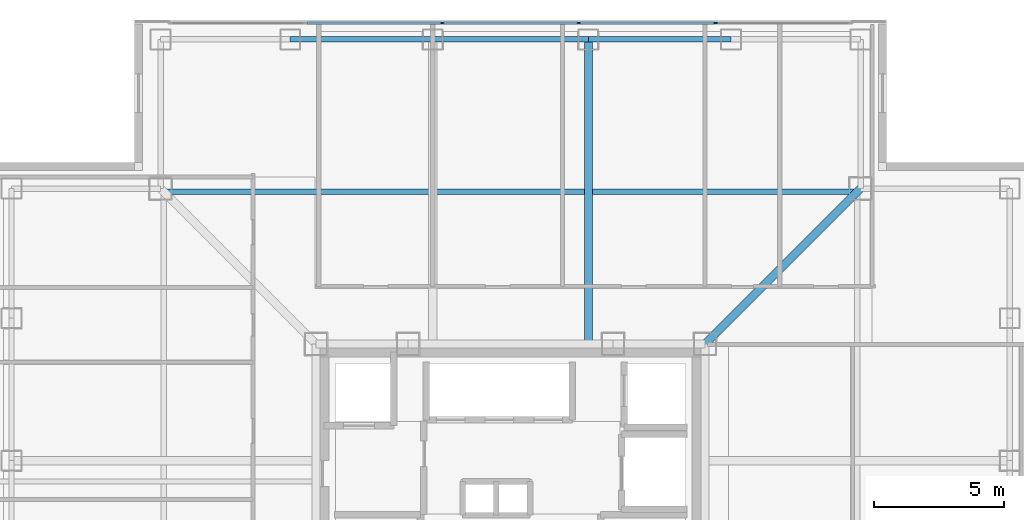
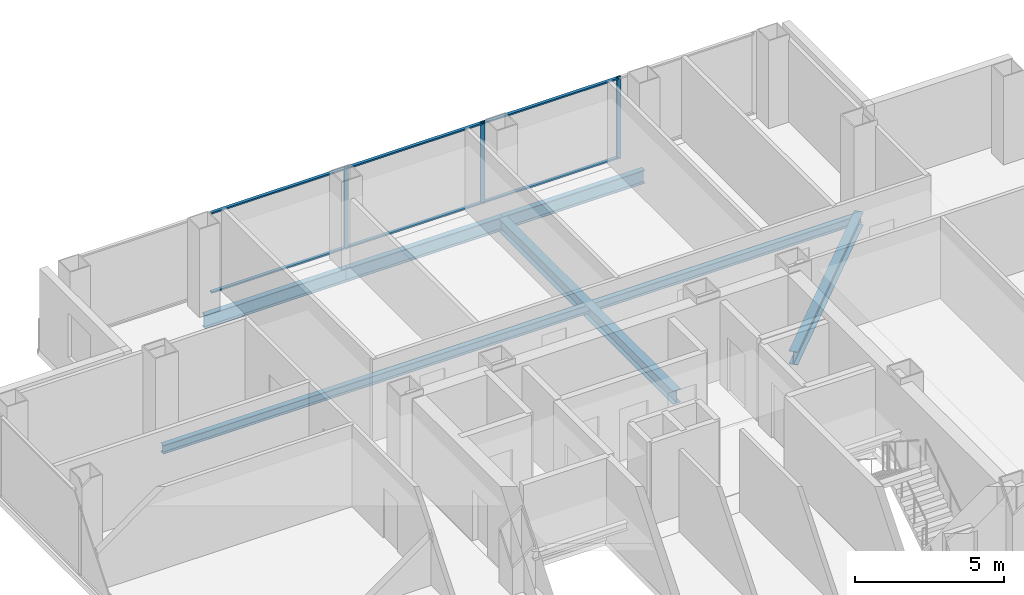
# One storey, part 8 of 16: 9 members, 6 beams, 1 element without a shape of its own.
"""IFC4 building model written with IfcOpenShell, lengths in metres."""

import ifcopenshell
import ifcopenshell.guid

model = None  # the IFC model being written
_history = None  # IfcOwnerHistory: only IFC2X3 demands one
_inside = {}  # id of a spatial element -> (the spatial element, [elements in it])
_under = {}  # id of a project, library or spatial element -> (it, [spatial elements below it])
_declared = {}  # id of a project -> (the project, [libraries it declares])
_typed = {}  # id of a type object -> (the type object, [elements of that type])
_made_of = {}  # id of a material, layer set ... -> (it, [elements and type objects made of it])


def new_model(schema):
    """Start an empty IFC model of exactly this schema.

    Asked for "IFC4X3", IfcOpenShell would pick the latest addendum, in which some entities
    have other attributes; the version numbers below select the first issue.
    IFC2X3 requires an IfcOwnerHistory on every rooted entity: one is made here for all.
    """
    global model, _history
    if schema == "IFC4X3":
        model = ifcopenshell.file(schema_version=(4, 3, 0, 0))
    else:
        model = ifcopenshell.file(schema=schema)
    _inside.clear()
    _under.clear()
    _declared.clear()
    _typed.clear()
    _made_of.clear()
    _history = None
    if model.schema == "IFC2X3":
        org = make("IfcOrganization", Name="unknown")
        user = make(
            "IfcPersonAndOrganization",
            ThePerson=make("IfcPerson", FamilyName="unknown"),
            TheOrganization=org,
        )
        app = make(
            "IfcApplication",
            ApplicationDeveloper=org,
            Version="unknown",
            ApplicationFullName="unknown",
            ApplicationIdentifier="unknown",
        )
        _history = make(
            "IfcOwnerHistory",
            OwningUser=user,
            OwningApplication=app,
            ChangeAction="ADDED",
            CreationDate=0,
        )
    return model


def make(cls, **values):
    """One entity of the class cls with the attributes given. An attribute that is None is left unset."""
    return model.create_entity(
        cls, **{name: value for name, value in values.items() if value is not None}
    )


def rooted(cls, **values):
    """An entity with a GlobalId (a new one), such as an element, a storey or a relation."""
    return make(cls, GlobalId=ifcopenshell.guid.new(), OwnerHistory=_history, **values)


def si_unit(unit_type, name, prefix=None):
    """IfcSIUnit, for example si_unit("LENGTHUNIT", "METRE", prefix="MILLI")."""
    return make("IfcSIUnit", UnitType=unit_type, Prefix=prefix, Name=name)


def assignment(units):
    """IfcUnitAssignment: the units of a project."""
    return None if units is None else make("IfcUnitAssignment", Units=units)


def point(xyz):
    """IfcCartesianPoint."""
    return None if xyz is None else make("IfcCartesianPoint", Coordinates=xyz)


def direction(xyz):
    """IfcDirection."""
    return None if xyz is None else make("IfcDirection", DirectionRatios=xyz)


def frame(location, z_axis=None, x_axis=None):
    """IfcAxis2Placement3D, a coordinate frame: its origin and axes. An axis left out is left unset."""
    return make(
        "IfcAxis2Placement3D",
        Location=point(location),
        Axis=direction(z_axis),
        RefDirection=direction(x_axis),
    )


def frame_2d(location, x_axis=None):
    """IfcAxis2Placement2D, a coordinate frame in the plane: its origin and x axis."""
    return make(
        "IfcAxis2Placement2D", Location=point(location), RefDirection=direction(x_axis)
    )


def origin():
    """The frame at (0, 0, 0) with its axes left unset."""
    return frame((0.0, 0.0, 0.0))


def origin_2d():
    """The frame at (0, 0) in the plane with its x axis left unset."""
    return frame_2d((0.0, 0.0))


def place(relative_to, where):
    """IfcLocalPlacement: puts the frame where relative to a parent placement (None: the world)."""
    return make(
        "IfcLocalPlacement", PlacementRelTo=relative_to, RelativePlacement=where
    )


def context(
    kind, dimensions, precision=None, world=None, true_north=None, identifier=None
):
    """IfcGeometricRepresentationContext, for example the 3D "Model" context."""
    return make(
        "IfcGeometricRepresentationContext",
        ContextIdentifier=identifier,
        ContextType=kind,
        CoordinateSpaceDimension=dimensions,
        Precision=precision,
        WorldCoordinateSystem=world,
        TrueNorth=true_north,
    )


def subcontext(parent, identifier, kind, view, scale=None):
    """IfcGeometricRepresentationSubContext, for example "Body" below "Model"."""
    return make(
        "IfcGeometricRepresentationSubContext",
        ContextIdentifier=identifier,
        ContextType=kind,
        ParentContext=parent,
        TargetScale=scale,
        TargetView=view,
    )


def project(units=None, contexts=None):
    """IfcProject with its units and contexts."""
    return rooted(
        "IfcProject",
        Name="project",
        RepresentationContexts=contexts,
        UnitsInContext=assignment(units),
    )


def spatial(cls, under=None, at=None, **own):
    """A site, building, storey or space (cls), placed at a placement, below another one or the project."""
    s = rooted(cls, ObjectPlacement=at, **own)
    if under is not None:
        _under.setdefault(under.id(), (under, []))[1].append(s)
    return s


def profile(cls, at=None, kind="AREA", **sizes):
    """A parametric profile (cls). Its sizes go by their IFC names, for example OverallWidth=200.0."""
    return make(cls, ProfileType=kind, Position=at, **sizes)


def rectangle(**sizes):
    """IfcRectangleProfileDef."""
    return profile("IfcRectangleProfileDef", **sizes)


def i_section(**sizes):
    """IfcIShapeProfileDef."""
    return profile("IfcIShapeProfileDef", **sizes)


def extrude(swept, where, along, depth):
    """IfcExtrudedAreaSolid: the profile swept, set in the frame where, extruded along a direction by depth."""
    return make(
        "IfcExtrudedAreaSolid",
        SweptArea=swept,
        Position=where,
        ExtrudedDirection=direction(along),
        Depth=depth,
    )


def shape(context_of_items, identifier, shape_type, items):
    """IfcShapeRepresentation: the items that make up one representation, for example the "Body"."""
    return make(
        "IfcShapeRepresentation",
        ContextOfItems=context_of_items,
        RepresentationIdentifier=identifier,
        RepresentationType=shape_type,
        Items=items,
    )


def material(Name=None, Category=None):
    """IfcMaterial."""
    return make("IfcMaterial", Name=Name, Category=Category)


def layer(
    of_material, thickness, ventilated=None, Name=None, Category=None, Priority=None
):
    """IfcMaterialLayer: one layer of a wall or slab, of a material (None: an air gap)."""
    return make(
        "IfcMaterialLayer",
        Material=of_material,
        LayerThickness=thickness,
        IsVentilated=ventilated,
        Name=Name,
        Category=Category,
        Priority=Priority,
    )


def layer_set(layers, Name=None):
    """IfcMaterialLayerSet."""
    return make("IfcMaterialLayerSet", MaterialLayers=layers, LayerSetName=Name)


def material_profile(
    of_material, cross_section, Name=None, Category=None, Priority=None
):
    """IfcMaterialProfile: a cross section and its material."""
    return make(
        "IfcMaterialProfile",
        Name=Name,
        Material=of_material,
        Profile=cross_section,
        Priority=Priority,
        Category=Category,
    )


def profile_set(profiles, Name=None, composite=None):
    """IfcMaterialProfileSet."""
    return make(
        "IfcMaterialProfileSet",
        Name=Name,
        MaterialProfiles=profiles,
        CompositeProfile=composite,
    )


def made_of(thing, what):
    """Note that an element or type object is made of a material, layer set ...; save() writes the relation."""
    if what is not None:
        _made_of.setdefault(what.id(), (what, []))[1].append(thing)
    return thing


def type_object(cls, material=None, **own):
    """A type object (cls), such as IfcWallType, which elements share."""
    return made_of(rooted(cls, **own), material)


def element(
    cls,
    number,
    at=None,
    inside=None,
    cuts=None,
    type_object=None,
    material=None,
    context=None,
    identifier="Body",
    shape_type=None,
    held_by="IfcProductDefinitionShape",
    body=None,
    shapes=None,
    **own,
):
    """One element of the class cls, such as IfcWall. Its Tag is "e" and its number.

    at: its placement. inside: the storey or other place that contains it. cuts: it is an
    opening in that element (IfcRelVoidsElement). A single representation is given by context,
    identifier, shape_type and body (its items); several are given by shapes. held_by: the class
    of the entity that holds the representations. save() writes the other relations.
    """
    e = rooted(cls, Tag="e%d" % number, ObjectPlacement=at, **own)
    if body is not None:
        shapes = [shape(context, identifier, shape_type, body)]
    if shapes is not None:
        e.Representation = make(held_by, Representations=shapes)
    if inside is not None:
        _inside.setdefault(inside.id(), (inside, []))[1].append(e)
    if cuts is not None:
        rooted(
            "IfcRelVoidsElement", RelatingBuildingElement=cuts, RelatedOpeningElement=e
        )
    if type_object is not None:
        _typed.setdefault(type_object.id(), (type_object, []))[1].append(e)
    return made_of(e, material)


def aggregate(whole, parts):
    """IfcRelAggregates: a whole, such as a stair, and the parts it consists of."""
    return rooted("IfcRelAggregates", RelatingObject=whole, RelatedObjects=parts)


def save(model, path):
    """Write the relations noted so far, then the file.

    IfcRelAggregates (storeys below a building ...), IfcRelContainedInSpatialStructure (elements
    in a storey), IfcRelDefinesByType, IfcRelAssociatesMaterial and IfcRelDeclares: one each for
    every whole, place, type object, material and project.
    """
    for whole, parts in _under.values():
        aggregate(whole, parts)
    for where, things in _inside.values():
        rooted(
            "IfcRelContainedInSpatialStructure",
            RelatedElements=things,
            RelatingStructure=where,
        )
    for kind, things in _typed.values():
        rooted("IfcRelDefinesByType", RelatedObjects=things, RelatingType=kind)
    for what, things in _made_of.values():
        rooted("IfcRelAssociatesMaterial", RelatedObjects=things, RelatingMaterial=what)
    for by, libraries in _declared.values():
        rooted("IfcRelDeclares", RelatingContext=by, RelatedDefinitions=libraries)
    model.write(path)


model = new_model("IFC4")

# Units and contexts
model_context = context("Model", 3, precision=1e-05, world=origin(), true_north=direction((0.0, 1.0)))
body_context = subcontext(model_context, "Body", "Model", "MODEL_VIEW")
ifc_project = project(units=[si_unit("LENGTHUNIT", "METRE"), si_unit("AREAUNIT", "SQUARE_METRE"), si_unit("VOLUMEUNIT", "CUBIC_METRE"), si_unit("PLANEANGLEUNIT", "RADIAN"), si_unit("MASSUNIT", "GRAM", prefix="KILO")], contexts=[model_context])

# Site, building, storey
site_placement = place(None, origin())
site = spatial("IfcSite", under=ifc_project, at=site_placement, CompositionType="ELEMENT")
building_placement = place(site_placement, origin())
building = spatial("IfcBuilding", under=site, at=building_placement, Name="Trevonay Congress Spire", CompositionType="ELEMENT")
storey_placement = place(building_placement, frame((0.0, 0.0, 177.0)))
storey = spatial("IfcBuildingStorey", under=building, at=storey_placement, Name="L45", CompositionType="ELEMENT", Elevation=177.0)

# Beams
ifc_material_1 = material(Name="Steel ASTM A572 Grade 50", Category="steel")
ifc_material_profile_1 = material_profile(ifc_material_1, i_section(OverallWidth=0.31201171875, OverallDepth=0.54296875, WebThickness=0.0126953125, FlangeThickness=0.020263671875, FilletRadius=0.014892578125, at=origin_2d()), Name="W530x150")
ifc_profile_set_1 = profile_set([ifc_material_profile_1], Name="Steel ASTM A572 Grade 50")
beam_type_1 = type_object("IfcBeamType", Name="BM-GIRD-W530X150", PredefinedType="BEAM", material=ifc_profile_set_1)
beam_1_placement = place(storey_placement, frame((7.5, 7.5, -0.511474609375), z_axis=(0.707106781187, 0.707106781187, 0.0), x_axis=(-0.707106781187, 0.707106781187, 0.0)))
element("IfcBeam", 1, at=beam_1_placement, inside=storey, type_object=beam_type_1, Name="L45 structural beam BM-L45-CDNE", PredefinedType="BEAM", context=body_context, shape_type="SweptSolid", body=[
    extrude(i_section(OverallWidth=0.31201171875, OverallDepth=0.54296875, WebThickness=0.0126953125, FlangeThickness=0.020263671875, FilletRadius=0.014892578125, at=origin_2d()), origin(), (0.0, 0.0, 1.0), 8.4853515625),
])
beam_2_placement = place(storey_placement, frame((3.0, 7.5, -0.511474609375), z_axis=(0.0, 1.0, 0.0), x_axis=(-1.0, 0.0, 0.0)))
element("IfcBeam", 2, at=beam_2_placement, inside=storey, type_object=beam_type_1, Name="L45 structural beam BM-L45-GN-P", PredefinedType="BEAM", context=body_context, shape_type="SweptSolid", body=[
    extrude(i_section(OverallWidth=0.31201171875, OverallDepth=0.54296875, WebThickness=0.0126953125, FlangeThickness=0.020263671875, FilletRadius=0.014892578125, at=origin_2d()), origin(), (0.0, 0.0, 1.0), 11.75),
])
ifc_material_profile_2 = material_profile(ifc_material_1, i_section(OverallWidth=0.2119140625, OverallDepth=0.5439453125, WebThickness=0.01318359375, FlangeThickness=0.021240234375, FilletRadius=0.014892578125, at=origin_2d()), Name="W530x123")
ifc_profile_set_2 = profile_set([ifc_material_profile_2], Name="Steel ASTM A572 Grade 50")
beam_type_2 = type_object("IfcBeamType", Name="BM-RING-W530X123", PredefinedType="BEAM", material=ifc_profile_set_2)
beam_3_placement = place(storey_placement, frame((-8.5, 19.25, -0.511962890625), z_axis=(1.0, 0.0, 0.0), x_axis=(0.0, 1.0, 0.0)))
element("IfcBeam", 3, at=beam_3_placement, inside=storey, type_object=beam_type_2, Name="L45 structural beam BM-L45-PN2", PredefinedType="BEAM", context=body_context, shape_type="SweptSolid", body=[
    extrude(i_section(OverallWidth=0.2119140625, OverallDepth=0.5439453125, WebThickness=0.01318359375, FlangeThickness=0.021240234375, FilletRadius=0.014892578125, at=origin_2d()), origin(), (0.0, 0.0, 1.0), 5.5),
])
beam_4_placement = place(storey_placement, frame((-3.0, 19.25, -0.511962890625), z_axis=(1.0, 0.0, 0.0), x_axis=(0.0, 1.0, 0.0)))
element("IfcBeam", 4, at=beam_4_placement, inside=storey, type_object=beam_type_2, Name="L45 structural beam BM-L45-PN3", PredefinedType="BEAM", context=body_context, shape_type="SweptSolid", body=[
    extrude(i_section(OverallWidth=0.2119140625, OverallDepth=0.5439453125, WebThickness=0.01318359375, FlangeThickness=0.021240234375, FilletRadius=0.014892578125, at=origin_2d()), origin(), (0.0, 0.0, 1.0), 6.0),
])
beam_5_placement = place(storey_placement, frame((3.0, 19.25, -0.511962890625), z_axis=(1.0, 0.0, 0.0), x_axis=(0.0, 1.0, 0.0)))
element("IfcBeam", 5, at=beam_5_placement, inside=storey, type_object=beam_type_2, Name="L45 structural beam BM-L45-PN4", PredefinedType="BEAM", context=body_context, shape_type="SweptSolid", body=[
    extrude(i_section(OverallWidth=0.2119140625, OverallDepth=0.5439453125, WebThickness=0.01318359375, FlangeThickness=0.021240234375, FilletRadius=0.014892578125, at=origin_2d()), origin(), (0.0, 0.0, 1.0), 5.5),
])

# Curtain wall, members
ifc_material_2 = material(Name="Pale Anodised Aluminium EN AW-6063-T6", Category="aluminium")
ifc_layer = layer(ifc_material_2, 0.169921875, Name="Pale Anodised Aluminium EN AW-6063-T6")
ifc_layer_set = layer_set([ifc_layer], Name="Pale Anodised Aluminium EN AW-6063-T6")
curtain_wall_type = type_object("IfcCurtainWallType", Name="CW-SYS04-CORP-PALE-METAL", PredefinedType="NOTDEFINED", material=ifc_layer_set)
curtain_wall_placement = place(storey_placement, origin())
curtain_wall = element("IfcCurtainWall", 6, at=curtain_wall_placement, inside=storey, type_object=curtain_wall_type, Name="L45 N unitised curtain wall", PredefinedType="NOTDEFINED")
ifc_material_profile_3 = material_profile(ifc_material_2, rectangle(XDim=0.06005859375, YDim=0.159912109375, at=origin_2d()), Name="CW-MULLION-160-ALUMINIUM")
ifc_profile_set_3 = profile_set([ifc_material_profile_3], Name="Pale Anodised Aluminium EN AW-6063-T6")
member_type_1 = type_object("IfcMemberType", Name="CW-MULLION-160-ALUMINIUM", PredefinedType="MULLION", material=ifc_profile_set_3)
member_1_placement = place(storey_placement, frame((-2.6298828125, 19.8798828125, 0.0), z_axis=(0.0, 0.0, 1.0), x_axis=(0.0, 1.0, 0.0)))
member_1 = element("IfcMember", 7, at=member_1_placement, type_object=member_type_1, Name="CW04 mullion 3", PredefinedType="MULLION", context=body_context, shape_type="SweptSolid", body=[
    extrude(rectangle(XDim=0.06005859375, YDim=0.159912109375, at=origin_2d()), origin(), (0.0, 0.0, 1.0), 3.360107421875),
])
member_2_placement = place(storey_placement, frame((2.6298828125, 19.8798828125, 0.0), z_axis=(0.0, 0.0, 1.0), x_axis=(0.0, 1.0, 0.0)))
member_2 = element("IfcMember", 8, at=member_2_placement, type_object=member_type_1, Name="CW04 mullion 4", PredefinedType="MULLION", context=body_context, shape_type="SweptSolid", body=[
    extrude(rectangle(XDim=0.06005859375, YDim=0.159912109375, at=origin_2d()), origin(), (0.0, 0.0, 1.0), 3.360107421875),
])
member_3_placement = place(storey_placement, frame((7.889892578125, 19.8798828125, 0.0), z_axis=(0.0, 0.0, 1.0), x_axis=(0.0, 1.0, 0.0)))
member_3 = element("IfcMember", 9, at=member_3_placement, type_object=member_type_1, Name="CW04 mullion 5", PredefinedType="MULLION", context=body_context, shape_type="SweptSolid", body=[
    extrude(rectangle(XDim=0.06005859375, YDim=0.159912109375, at=origin_2d()), origin(), (0.0, 0.0, 1.0), 3.360107421875),
])
ifc_material_profile_4 = material_profile(ifc_material_2, rectangle(XDim=0.1201171875, YDim=0.06005859375, at=origin_2d()), Name="CW-TRANSOM-120-ALUMINIUM")
ifc_profile_set_4 = profile_set([ifc_material_profile_4], Name="Pale Anodised Aluminium EN AW-6063-T6")
member_type_2 = type_object("IfcMemberType", Name="CW-TRANSOM-120-ALUMINIUM", PredefinedType="USERDEFINED", material=ifc_profile_set_4)
member_4_placement = place(storey_placement, frame((-7.860107421875, 19.8798828125, 0.06005859375), z_axis=(1.0, 0.0, 0.0), x_axis=(0.0, 1.0, 0.0)))
member_4 = element("IfcMember", 10, at=member_4_placement, type_object=member_type_2, Name="CW04 transom 2.1", ObjectType="TRANSOM", PredefinedType="USERDEFINED", context=body_context, shape_type="SweptSolid", body=[
    extrude(rectangle(XDim=0.1201171875, YDim=0.06005859375, at=origin_2d()), origin(), (0.0, 0.0, 1.0), 5.2001953125),
])
member_5_placement = place(storey_placement, frame((-7.860107421875, 19.8798828125, 3.300048828125), z_axis=(1.0, 0.0, 0.0), x_axis=(0.0, 1.0, 0.0)))
member_5 = element("IfcMember", 11, at=member_5_placement, type_object=member_type_2, Name="CW04 transom 2.2", ObjectType="TRANSOM", PredefinedType="USERDEFINED", context=body_context, shape_type="SweptSolid", body=[
    extrude(rectangle(XDim=0.1201171875, YDim=0.06005859375, at=origin_2d()), origin(), (0.0, 0.0, 1.0), 5.2001953125),
])
member_6_placement = place(storey_placement, frame((-2.60009765625, 19.8798828125, 0.06005859375), z_axis=(1.0, 0.0, 0.0), x_axis=(0.0, 1.0, 0.0)))
member_6 = element("IfcMember", 12, at=member_6_placement, type_object=member_type_2, Name="CW04 transom 3.1", ObjectType="TRANSOM", PredefinedType="USERDEFINED", context=body_context, shape_type="SweptSolid", body=[
    extrude(rectangle(XDim=0.1201171875, YDim=0.06005859375, at=origin_2d()), origin(), (0.0, 0.0, 1.0), 5.2001953125),
])
member_7_placement = place(storey_placement, frame((-2.60009765625, 19.8798828125, 3.300048828125), z_axis=(1.0, 0.0, 0.0), x_axis=(0.0, 1.0, 0.0)))
member_7 = element("IfcMember", 13, at=member_7_placement, type_object=member_type_2, Name="CW04 transom 3.2", ObjectType="TRANSOM", PredefinedType="USERDEFINED", context=body_context, shape_type="SweptSolid", body=[
    extrude(rectangle(XDim=0.1201171875, YDim=0.06005859375, at=origin_2d()), origin(), (0.0, 0.0, 1.0), 5.2001953125),
])
member_8_placement = place(storey_placement, frame((2.659912109375, 19.8798828125, 0.06005859375), z_axis=(1.0, 0.0, 0.0), x_axis=(0.0, 1.0, 0.0)))
member_8 = element("IfcMember", 14, at=member_8_placement, type_object=member_type_2, Name="CW04 transom 4.1", ObjectType="TRANSOM", PredefinedType="USERDEFINED", context=body_context, shape_type="SweptSolid", body=[
    extrude(rectangle(XDim=0.1201171875, YDim=0.06005859375, at=origin_2d()), origin(), (0.0, 0.0, 1.0), 5.2001953125),
])
member_9_placement = place(storey_placement, frame((2.659912109375, 19.8798828125, 3.300048828125), z_axis=(1.0, 0.0, 0.0), x_axis=(0.0, 1.0, 0.0)))
member_9 = element("IfcMember", 15, at=member_9_placement, type_object=member_type_2, Name="CW04 transom 4.2", ObjectType="TRANSOM", PredefinedType="USERDEFINED", context=body_context, shape_type="SweptSolid", body=[
    extrude(rectangle(XDim=0.1201171875, YDim=0.06005859375, at=origin_2d()), origin(), (0.0, 0.0, 1.0), 5.2001953125),
])
aggregate(curtain_wall, [member_1, member_2, member_3, member_4, member_5, member_6, member_7, member_8, member_9])

# Beam
ifc_material_profile_5 = material_profile(ifc_material_1, i_section(OverallWidth=0.205078125, OverallDepth=0.35400390625, WebThickness=0.009521484375, FlangeThickness=0.016845703125, FilletRadius=0.011962890625, at=origin_2d()), Name="W360x79")
ifc_profile_set_5 = profile_set([ifc_material_profile_5], Name="Steel ASTM A572 Grade 50")
beam_type_3 = type_object("IfcBeamType", Name="JS-COMP-W360X79", PredefinedType="JOIST", material=ifc_profile_set_5)
beam_6_placement = place(storey_placement, frame((-13.5, 13.375, -0.4169921875), z_axis=(1.0, 0.0, 0.0), x_axis=(0.0, 1.0, 0.0)))
element("IfcBeam", 16, at=beam_6_placement, inside=storey, type_object=beam_type_3, Name="L45 structural beam JS-L45-RING-N", PredefinedType="JOIST", context=body_context, shape_type="SweptSolid", body=[
    extrude(i_section(OverallWidth=0.205078125, OverallDepth=0.35400390625, WebThickness=0.009521484375, FlangeThickness=0.016845703125, FilletRadius=0.011962890625, at=origin_2d()), origin(), (0.0, 0.0, 1.0), 27.0),
])

save(model, "model.ifc")
